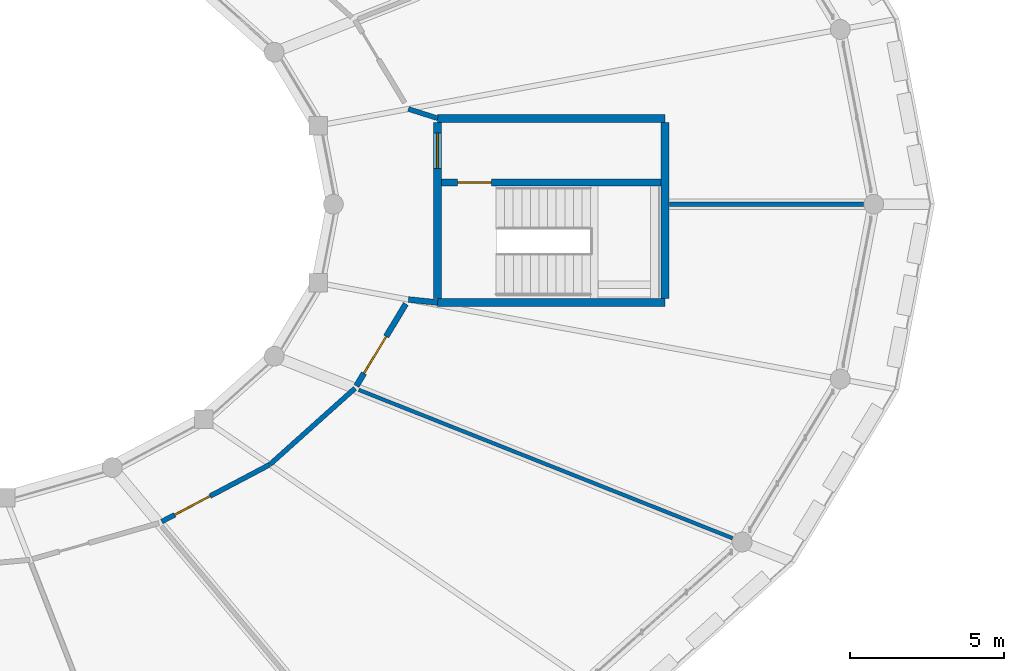
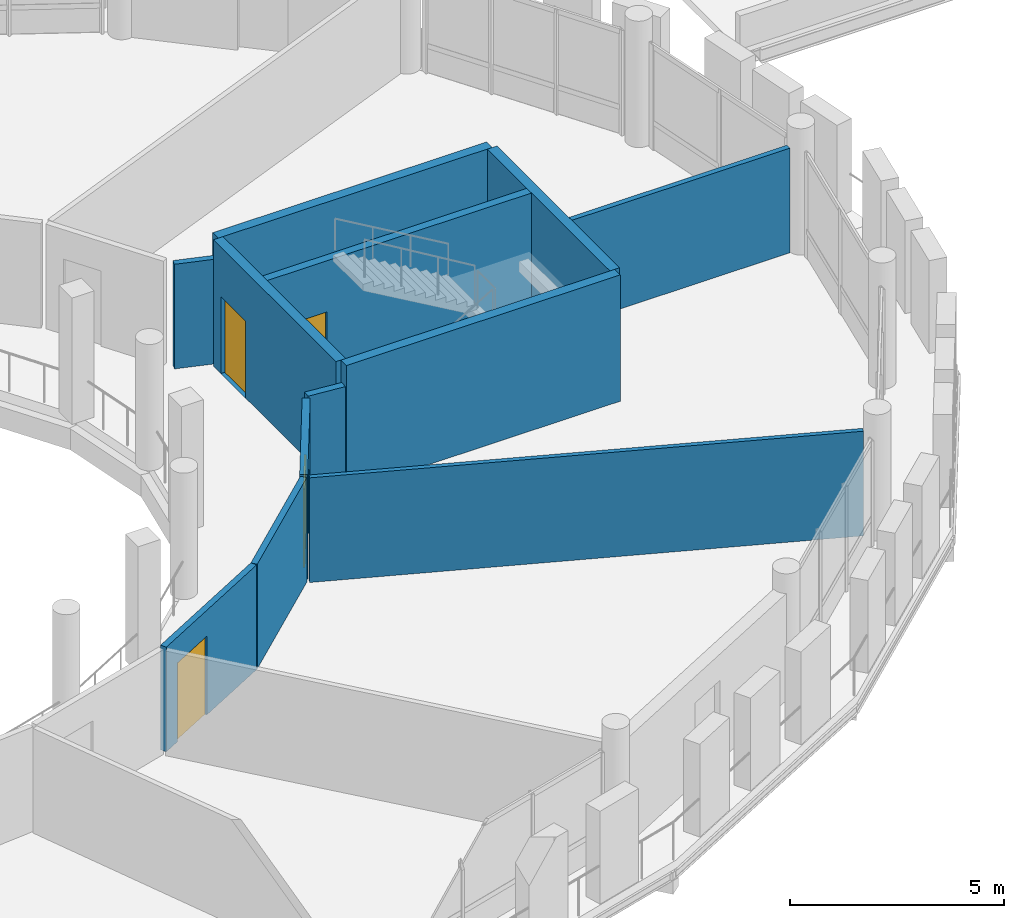
# One storey, part 77 of 93: 12 walls, 4 doors, 4 openings.
"""IFC4 building model written with IfcOpenShell, lengths in metres."""

import ifcopenshell
import ifcopenshell.guid

model = None  # the IFC model being written
_history = None  # IfcOwnerHistory: only IFC2X3 demands one
_inside = {}  # id of a spatial element -> (the spatial element, [elements in it])
_under = {}  # id of a project, library or spatial element -> (it, [spatial elements below it])
_declared = {}  # id of a project -> (the project, [libraries it declares])
_typed = {}  # id of a type object -> (the type object, [elements of that type])
_made_of = {}  # id of a material, layer set ... -> (it, [elements and type objects made of it])


def new_model(schema):
    """Start an empty IFC model of exactly this schema.

    Asked for "IFC4X3", IfcOpenShell would pick the latest addendum, in which some entities
    have other attributes; the version numbers below select the first issue.
    IFC2X3 requires an IfcOwnerHistory on every rooted entity: one is made here for all.
    """
    global model, _history
    if schema == "IFC4X3":
        model = ifcopenshell.file(schema_version=(4, 3, 0, 0))
    else:
        model = ifcopenshell.file(schema=schema)
    _inside.clear()
    _under.clear()
    _declared.clear()
    _typed.clear()
    _made_of.clear()
    _history = None
    if model.schema == "IFC2X3":
        org = make("IfcOrganization", Name="unknown")
        user = make(
            "IfcPersonAndOrganization",
            ThePerson=make("IfcPerson", FamilyName="unknown"),
            TheOrganization=org,
        )
        app = make(
            "IfcApplication",
            ApplicationDeveloper=org,
            Version="unknown",
            ApplicationFullName="unknown",
            ApplicationIdentifier="unknown",
        )
        _history = make(
            "IfcOwnerHistory",
            OwningUser=user,
            OwningApplication=app,
            ChangeAction="ADDED",
            CreationDate=0,
        )
    return model


def make(cls, **values):
    """One entity of the class cls with the attributes given. An attribute that is None is left unset."""
    return model.create_entity(
        cls, **{name: value for name, value in values.items() if value is not None}
    )


def rooted(cls, **values):
    """An entity with a GlobalId (a new one), such as an element, a storey or a relation."""
    return make(cls, GlobalId=ifcopenshell.guid.new(), OwnerHistory=_history, **values)


def si_unit(unit_type, name, prefix=None):
    """IfcSIUnit, for example si_unit("LENGTHUNIT", "METRE", prefix="MILLI")."""
    return make("IfcSIUnit", UnitType=unit_type, Prefix=prefix, Name=name)


def assignment(units):
    """IfcUnitAssignment: the units of a project."""
    return None if units is None else make("IfcUnitAssignment", Units=units)


def point(xyz):
    """IfcCartesianPoint."""
    return None if xyz is None else make("IfcCartesianPoint", Coordinates=xyz)


def direction(xyz):
    """IfcDirection."""
    return None if xyz is None else make("IfcDirection", DirectionRatios=xyz)


def frame(location, z_axis=None, x_axis=None):
    """IfcAxis2Placement3D, a coordinate frame: its origin and axes. An axis left out is left unset."""
    return make(
        "IfcAxis2Placement3D",
        Location=point(location),
        Axis=direction(z_axis),
        RefDirection=direction(x_axis),
    )


def frame_2d(location, x_axis=None):
    """IfcAxis2Placement2D, a coordinate frame in the plane: its origin and x axis."""
    return make(
        "IfcAxis2Placement2D", Location=point(location), RefDirection=direction(x_axis)
    )


def origin():
    """The frame at (0, 0, 0) with its axes left unset."""
    return frame((0.0, 0.0, 0.0))


def place(relative_to, where):
    """IfcLocalPlacement: puts the frame where relative to a parent placement (None: the world)."""
    return make(
        "IfcLocalPlacement", PlacementRelTo=relative_to, RelativePlacement=where
    )


def context(
    kind, dimensions, precision=None, world=None, true_north=None, identifier=None
):
    """IfcGeometricRepresentationContext, for example the 3D "Model" context."""
    return make(
        "IfcGeometricRepresentationContext",
        ContextIdentifier=identifier,
        ContextType=kind,
        CoordinateSpaceDimension=dimensions,
        Precision=precision,
        WorldCoordinateSystem=world,
        TrueNorth=true_north,
    )


def subcontext(parent, identifier, kind, view, scale=None):
    """IfcGeometricRepresentationSubContext, for example "Body" below "Model"."""
    return make(
        "IfcGeometricRepresentationSubContext",
        ContextIdentifier=identifier,
        ContextType=kind,
        ParentContext=parent,
        TargetScale=scale,
        TargetView=view,
    )


def project(units=None, contexts=None):
    """IfcProject with its units and contexts."""
    return rooted(
        "IfcProject",
        Name="project",
        RepresentationContexts=contexts,
        UnitsInContext=assignment(units),
    )


def spatial(cls, under=None, at=None, **own):
    """A site, building, storey or space (cls), placed at a placement, below another one or the project."""
    s = rooted(cls, ObjectPlacement=at, **own)
    if under is not None:
        _under.setdefault(under.id(), (under, []))[1].append(s)
    return s


def profile(cls, at=None, kind="AREA", **sizes):
    """A parametric profile (cls). Its sizes go by their IFC names, for example OverallWidth=200.0."""
    return make(cls, ProfileType=kind, Position=at, **sizes)


def rectangle(**sizes):
    """IfcRectangleProfileDef."""
    return profile("IfcRectangleProfileDef", **sizes)


def extrude(swept, where, along, depth):
    """IfcExtrudedAreaSolid: the profile swept, set in the frame where, extruded along a direction by depth."""
    return make(
        "IfcExtrudedAreaSolid",
        SweptArea=swept,
        Position=where,
        ExtrudedDirection=direction(along),
        Depth=depth,
    )


def shape(context_of_items, identifier, shape_type, items):
    """IfcShapeRepresentation: the items that make up one representation, for example the "Body"."""
    return make(
        "IfcShapeRepresentation",
        ContextOfItems=context_of_items,
        RepresentationIdentifier=identifier,
        RepresentationType=shape_type,
        Items=items,
    )


def material(Name=None, Category=None):
    """IfcMaterial."""
    return make("IfcMaterial", Name=Name, Category=Category)


def layer(
    of_material, thickness, ventilated=None, Name=None, Category=None, Priority=None
):
    """IfcMaterialLayer: one layer of a wall or slab, of a material (None: an air gap)."""
    return make(
        "IfcMaterialLayer",
        Material=of_material,
        LayerThickness=thickness,
        IsVentilated=ventilated,
        Name=Name,
        Category=Category,
        Priority=Priority,
    )


def layer_set(layers, Name=None):
    """IfcMaterialLayerSet."""
    return make("IfcMaterialLayerSet", MaterialLayers=layers, LayerSetName=Name)


def made_of(thing, what):
    """Note that an element or type object is made of a material, layer set ...; save() writes the relation."""
    if what is not None:
        _made_of.setdefault(what.id(), (what, []))[1].append(thing)
    return thing


def type_object(cls, material=None, **own):
    """A type object (cls), such as IfcWallType, which elements share."""
    return made_of(rooted(cls, **own), material)


def element(
    cls,
    number,
    at=None,
    inside=None,
    cuts=None,
    type_object=None,
    material=None,
    context=None,
    identifier="Body",
    shape_type=None,
    held_by="IfcProductDefinitionShape",
    body=None,
    shapes=None,
    **own,
):
    """One element of the class cls, such as IfcWall. Its Tag is "e" and its number.

    at: its placement. inside: the storey or other place that contains it. cuts: it is an
    opening in that element (IfcRelVoidsElement). A single representation is given by context,
    identifier, shape_type and body (its items); several are given by shapes. held_by: the class
    of the entity that holds the representations. save() writes the other relations.
    """
    e = rooted(cls, Tag="e%d" % number, ObjectPlacement=at, **own)
    if body is not None:
        shapes = [shape(context, identifier, shape_type, body)]
    if shapes is not None:
        e.Representation = make(held_by, Representations=shapes)
    if inside is not None:
        _inside.setdefault(inside.id(), (inside, []))[1].append(e)
    if cuts is not None:
        rooted(
            "IfcRelVoidsElement", RelatingBuildingElement=cuts, RelatedOpeningElement=e
        )
    if type_object is not None:
        _typed.setdefault(type_object.id(), (type_object, []))[1].append(e)
    return made_of(e, material)


def fill(opening, filler):
    """IfcRelFillsElement: the door or window that sits in an opening."""
    return rooted(
        "IfcRelFillsElement",
        RelatingOpeningElement=opening,
        RelatedBuildingElement=filler,
    )


def aggregate(whole, parts):
    """IfcRelAggregates: a whole, such as a stair, and the parts it consists of."""
    return rooted("IfcRelAggregates", RelatingObject=whole, RelatedObjects=parts)


def save(model, path):
    """Write the relations noted so far, then the file.

    IfcRelAggregates (storeys below a building ...), IfcRelContainedInSpatialStructure (elements
    in a storey), IfcRelDefinesByType, IfcRelAssociatesMaterial and IfcRelDeclares: one each for
    every whole, place, type object, material and project.
    """
    for whole, parts in _under.values():
        aggregate(whole, parts)
    for where, things in _inside.values():
        rooted(
            "IfcRelContainedInSpatialStructure",
            RelatedElements=things,
            RelatingStructure=where,
        )
    for kind, things in _typed.values():
        rooted("IfcRelDefinesByType", RelatedObjects=things, RelatingType=kind)
    for what, things in _made_of.values():
        rooted("IfcRelAssociatesMaterial", RelatedObjects=things, RelatingMaterial=what)
    for by, libraries in _declared.values():
        rooted("IfcRelDeclares", RelatingContext=by, RelatedDefinitions=libraries)
    model.write(path)


model = new_model("IFC4")

# Units and contexts
model_context = context("Model", 3, precision=1e-05, world=origin(), true_north=direction((0.0, 1.0)))
body_context = subcontext(model_context, "Body", "Model", "MODEL_VIEW")
ifc_project = project(units=[si_unit("LENGTHUNIT", "METRE"), si_unit("AREAUNIT", "SQUARE_METRE"), si_unit("VOLUMEUNIT", "CUBIC_METRE"), si_unit("PLANEANGLEUNIT", "RADIAN"), si_unit("MASSUNIT", "GRAM", prefix="KILO")], contexts=[model_context])

# Site, building, storey
site_placement = place(None, origin())
site = spatial("IfcSite", under=ifc_project, at=site_placement, CompositionType="ELEMENT")
building_placement = place(site_placement, origin())
building = spatial("IfcBuilding", under=site, at=building_placement, Name="Zornivar Specialist Clinic", CompositionType="ELEMENT")
storey_placement = place(building_placement, frame((0.0, 0.0, 8.39990234375)))
storey = spatial("IfcBuildingStorey", under=building, at=storey_placement, Name="L02", CompositionType="ELEMENT", Elevation=8.39990234375)

# Walls
ifc_material_1 = material(Name="Acoustic Clinical Stud Partition")
ifc_layer_1 = layer(ifc_material_1, 0.139892578125)
ifc_layer_set_1 = layer_set([ifc_layer_1], Name="Acoustic Clinical Stud Partition")
wall_type_1 = type_object("IfcWallType", Name="IW-CLIN-140", PredefinedType="PARTITIONING", material=ifc_layer_set_1)
wall_1_placement = place(storey_placement, frame((125.264892578125, 57.60009765625, 0.0), z_axis=(0.0, 0.0, 1.0), x_axis=(-1.0, 0.0, 0.0)))
element("IfcWall", 1, at=wall_1_placement, inside=storey, type_object=wall_type_1, Name="iw:L02:003", PredefinedType="PARTITIONING", context=body_context, shape_type="SweptSolid", body=[
    extrude(rectangle(XDim=6.31982421875, YDim=0.139892578125, at=frame_2d((3.159912109375, 0.0))), origin(), (0.0, 0.0, 1.0), 2.989990234375),
])
ifc_material_2 = material(Name="Gypsum Fire-Rated Double Stud Partition")
ifc_layer_2 = layer(ifc_material_2, 0.159912109375)
ifc_layer_set_2 = layer_set([ifc_layer_2], Name="Gypsum Fire-Rated Double Stud Partition")
wall_type_2 = type_object("IfcWallType", Name="IW-CORR-EI60-160", PredefinedType="PARTITIONING", material=ifc_layer_set_2)
wall_2_placement = place(storey_placement, frame((111.39990234375, 60.39990234375, 0.0), z_axis=(0.0, 0.0, 1.0), x_axis=(-0.953076237522, 0.302730384122, 0.0)))
element("IfcWall", 2, at=wall_2_placement, inside=storey, type_object=wall_type_2, Name="iw:L02:000", PredefinedType="PARTITIONING", context=body_context, shape_type="SweptSolid", body=[
    extrude(rectangle(XDim=1.000732421875, YDim=0.159912109375, at=frame_2d((0.50048828125, 0.0))), origin(), (0.0, 0.0, 1.0), 2.989990234375),
])
wall_3_placement = place(storey_placement, frame((105.931884765625, 49.1220703125, 0.0), z_axis=(0.0, 0.0, 1.0), x_axis=(0.744906651337, 0.667168704897, 0.0)))
element("IfcWall", 3, at=wall_3_placement, inside=storey, type_object=wall_type_2, Name="iw:L02:042", PredefinedType="PARTITIONING", context=body_context, shape_type="SweptSolid", body=[
    extrude(rectangle(XDim=3.7216796875, YDim=0.159912109375, at=frame_2d((1.86083984375, 0.0))), origin(), (0.0, 0.0, 1.0), 2.989990234375),
])

# Wall, opening, door
wall_4_placement = place(storey_placement, frame((102.410888671875, 47.263916015625, 0.0), z_axis=(0.0, 0.0, 1.0), x_axis=(0.884432009223, 0.466669070179, 0.0)))
wall_4 = element("IfcWall", 4, at=wall_4_placement, inside=storey, type_object=wall_type_2, Name="iw:L02:044", PredefinedType="PARTITIONING", context=body_context, shape_type="SweptSolid", body=[
    extrude(rectangle(XDim=3.96875, YDim=0.159912109375, at=frame_2d((1.984375, 0.0))), origin(), (0.0, 0.0, 1.0), 2.989990234375),
])
opening_1_placement = place(wall_4_placement, frame((0.47998046875, 0.0, 0.0)))
opening_1 = element("IfcOpeningElement", 5, at=opening_1_placement, cuts=wall_4, Name="Opening ID-13", PredefinedType="OPENING", context=body_context, shape_type="SweptSolid", body=[
    extrude(rectangle(XDim=1.300048828125, YDim=2.25, at=frame_2d((0.64990234375, 1.125))), frame((0.0, 0.08984375, 0.0), z_axis=(0.0, -1.0, 0.0), x_axis=(1.0, 0.0, 0.0)), (0.0, 0.0, 1.0), 0.179931640625),
])
ifc_material_3 = material(Name="Solid-Core Hygienic Laminate Timber Door", Category="wood")
door_type_1 = type_object("IfcDoorType", Name="ID-RECOV-1300x2250", OperationType="NOTDEFINED", PredefinedType="DOOR", material=ifc_material_3)
door_1_placement = place(opening_1_placement, origin())
door_1 = element("IfcDoor", 6, at=door_1_placement, inside=storey, type_object=door_type_1, Name="door:space:V1:L02:rm:15", OperationType="SINGLE_SWING_LEFT", OverallHeight=2.25, OverallWidth=1.300048828125, PredefinedType="DOOR", context=body_context, shape_type="SweptSolid", body=[
    extrude(rectangle(XDim=1.300048828125, YDim=2.25, at=frame_2d((0.64990234375, 1.125))), frame((0.0, 0.02490234375, 0.0), z_axis=(0.0, -1.0, 0.0), x_axis=(1.0, 0.0, 0.0)), (0.0, 0.0, 1.0), 0.050048828125),
])
fill(opening_1, door_1)

# Walls
ifc_material_4 = material(Name="Acoustic Glazed Consultation Partition")
ifc_layer_3 = layer(ifc_material_4, 0.1201171875)
ifc_layer_set_3 = layer_set([ifc_layer_3], Name="Acoustic Glazed Consultation Partition")
wall_type_3 = type_object("IfcWallType", Name="IW-GLAZ-120", PredefinedType="PARTITIONING", material=ifc_layer_set_3)
wall_5_placement = place(storey_placement, frame((108.8291015625, 51.554931640625, 0.0), z_axis=(0.0, 0.0, 1.0), x_axis=(0.929482493756, -0.368866227516, 0.0)))
element("IfcWall", 7, at=wall_5_placement, inside=storey, type_object=wall_type_3, Name="iw:L02:043", PredefinedType="PARTITIONING", context=body_context, shape_type="SweptSolid", body=[
    extrude(rectangle(XDim=13.096435546875, YDim=0.1201171875, at=frame_2d((6.54833984375, 0.0))), origin(), (0.0, 0.0, 1.0), 2.989990234375),
])
ifc_material_5 = material(Name="GMP Cleanroom Insulated Double Partition")
ifc_layer_4 = layer(ifc_material_5, 0.18994140625)
ifc_layer_set_4 = layer_set([ifc_layer_4], Name="GMP Cleanroom Insulated Double Partition")
wall_type_4 = type_object("IfcWallType", Name="IW-PHARM-GMP-190", PredefinedType="PARTITIONING", material=ifc_layer_set_4)
wall_6_placement = place(storey_placement, frame((110.446044921875, 54.4970703125, 0.0), z_axis=(0.0, 0.0, 1.0), x_axis=(0.994851446462, -0.101343966136, 0.0)))
element("IfcWall", 8, at=wall_6_placement, inside=storey, type_object=wall_type_4, Name="iw:L02:045", PredefinedType="PARTITIONING", context=body_context, shape_type="SweptSolid", body=[
    extrude(rectangle(XDim=0.958740234375, YDim=0.18994140625, at=frame_2d((0.4794921875, 0.0))), origin(), (0.0, 0.0, 1.0), 2.989990234375),
])

# Wall, opening, door
wall_7_placement = place(storey_placement, frame((108.7509765625, 51.68310546875, 0.0), z_axis=(0.0, 0.0, 1.0), x_axis=(0.516140620299, 0.856503858764, 0.0)))
wall_7 = element("IfcWall", 9, at=wall_7_placement, inside=storey, type_object=wall_type_4, Name="iw:L02:046", PredefinedType="PARTITIONING", context=body_context, shape_type="SweptSolid", body=[
    extrude(rectangle(XDim=3.11962890625, YDim=0.18994140625, at=frame_2d((1.559814453125, 0.0))), origin(), (0.0, 0.0, 1.0), 2.989990234375),
])
opening_2_placement = place(wall_7_placement, frame((0.47998046875, 0.0, 0.0)))
opening_2 = element("IfcOpeningElement", 10, at=opening_2_placement, cuts=wall_7, Name="Opening FD-04", PredefinedType="OPENING", context=body_context, shape_type="SweptSolid", body=[
    extrude(rectangle(XDim=1.39990234375, YDim=2.25, at=frame_2d((0.699951171875, 1.125))), frame((0.0, 0.10498046875, 0.0), z_axis=(0.0, -1.0, 0.0), x_axis=(1.0, 0.0, 0.0)), (0.0, 0.0, 1.0), 0.2099609375),
])
ifc_material_6 = material(Name="Solid-Core Hygienic Laminate Timber Door", Category="wood")
door_type_2 = type_object("IfcDoorType", Name="FD-STERILE-1400x2250", OperationType="NOTDEFINED", PredefinedType="DOOR", material=ifc_material_6)
door_2_placement = place(opening_2_placement, origin())
door_2 = element("IfcDoor", 11, at=door_2_placement, inside=storey, type_object=door_type_2, Name="door:space:V1:L02:rm:16", OperationType="DOUBLE_DOOR_SINGLE_SWING", OverallHeight=2.25, OverallWidth=1.39990234375, PredefinedType="DOOR", context=body_context, shape_type="SweptSolid", body=[
    extrude(rectangle(XDim=1.39990234375, YDim=2.25, at=frame_2d((0.699951171875, 1.125))), frame((0.0, 0.02490234375, 0.0), z_axis=(0.0, -1.0, 0.0), x_axis=(1.0, 0.0, 0.0)), (0.0, 0.0, 1.0), 0.050048828125),
])
fill(opening_2, door_2)

# Walls
ifc_material_7 = material(Name="Concrete C35/45", Category="concrete")
ifc_layer_5 = layer(ifc_material_7, 0.260009765625)
ifc_layer_set_5 = layer_set([ifc_layer_5], Name="Concrete C35/45")
wall_type_5 = type_object("IfcWallType", Name="SW-CORE-260", PredefinedType="SHEAR", material=ifc_layer_set_5)
wall_8_placement = place(storey_placement, frame((111.39990234375, 54.39990234375, 0.0), z_axis=(0.0, 0.0, 1.0), x_axis=(1.0, 0.0, 0.0)))
element("IfcWall", 12, at=wall_8_placement, inside=storey, type_object=wall_type_5, Name="sw:C4:L02:w0", PredefinedType="SHEAR", context=body_context, shape_type="SweptSolid", body=[
    extrude(rectangle(XDim=7.400146484375, YDim=0.260009765625, at=frame_2d((3.7001953125, 0.0))), origin(), (0.0, 0.0, 1.0), 3.610107421875),
])
wall_9_placement = place(storey_placement, frame((118.800048828125, 54.530029296875, 0.0), z_axis=(0.0, 0.0, 1.0), x_axis=(0.0, 1.0, 0.0)))
element("IfcWall", 13, at=wall_9_placement, inside=storey, type_object=wall_type_5, Name="sw:C4:L02:w1", PredefinedType="SHEAR", context=body_context, shape_type="SweptSolid", body=[
    extrude(rectangle(XDim=5.739990234375, YDim=0.260009765625, at=frame_2d((2.8701171875, 0.0))), origin(), (0.0, 0.0, 1.0), 3.610107421875),
])
wall_10_placement = place(storey_placement, frame((118.800048828125, 60.39990234375, 0.0), z_axis=(0.0, 0.0, 1.0), x_axis=(-1.0, 0.0, 0.0)))
element("IfcWall", 14, at=wall_10_placement, inside=storey, type_object=wall_type_5, Name="sw:C4:L02:w2", PredefinedType="SHEAR", context=body_context, shape_type="SweptSolid", body=[
    extrude(rectangle(XDim=7.400146484375, YDim=0.260009765625, at=frame_2d((3.7001953125, 0.0))), origin(), (0.0, 0.0, 1.0), 3.610107421875),
])

# Wall, opening, door
wall_11_placement = place(storey_placement, frame((111.39990234375, 60.27001953125, 0.0), z_axis=(0.0, 0.0, 1.0), x_axis=(0.0, -1.0, 0.0)))
wall_11 = element("IfcWall", 15, at=wall_11_placement, inside=storey, type_object=wall_type_5, Name="sw:C4:L02:w3", PredefinedType="SHEAR", context=body_context, shape_type="SweptSolid", body=[
    extrude(rectangle(XDim=5.739990234375, YDim=0.260009765625, at=frame_2d((2.8701171875, 0.0))), origin(), (0.0, 0.0, 1.0), 3.610107421875),
])
opening_3_placement = place(wall_11_placement, frame((0.35009765625, 0.0, 0.0)))
opening_3 = element("IfcOpeningElement", 16, at=opening_3_placement, cuts=wall_11, Name="Opening FD-03", PredefinedType="OPENING", context=body_context, shape_type="SweptSolid", body=[
    extrude(rectangle(XDim=1.14990234375, YDim=2.199951171875, at=frame_2d((0.574951171875, 1.10009765625))), frame((0.0, 0.139892578125, 0.0), z_axis=(0.0, -1.0, 0.0), x_axis=(1.0, 0.0, 0.0)), (0.0, 0.0, 1.0), 0.280029296875),
])
ifc_material_8 = material(Name="Solid-Core Hygienic Laminate Timber Door", Category="wood")
door_type_3 = type_object("IfcDoorType", Name="FD-LOBBY-UPPER-1150x2200", OperationType="NOTDEFINED", PredefinedType="DOOR", material=ifc_material_8)
door_3_placement = place(opening_3_placement, origin())
door_3 = element("IfcDoor", 17, at=door_3_placement, inside=storey, type_object=door_type_3, Name="door:C4:L02:lob", OperationType="SINGLE_SWING_RIGHT", OverallHeight=2.199951171875, OverallWidth=1.14990234375, PredefinedType="DOOR", context=body_context, shape_type="SweptSolid", body=[
    extrude(rectangle(XDim=1.14990234375, YDim=2.199951171875, at=frame_2d((0.574951171875, 1.10009765625))), frame((0.0, 0.02490234375, 0.0), z_axis=(0.0, -1.0, 0.0), x_axis=(1.0, 0.0, 0.0)), (0.0, 0.0, 1.0), 0.050048828125),
])
fill(opening_3, door_3)

ifc_material_9 = material(Name="Concrete C30/37", Category="concrete")
ifc_layer_6 = layer(ifc_material_9, 0.219970703125)
ifc_layer_set_6 = layer_set([ifc_layer_6], Name="Concrete C30/37")
wall_type_6 = type_object("IfcWallType", Name="SW-SHAFT-220", PredefinedType="SHEAR", material=ifc_layer_set_6)
wall_12_placement = place(storey_placement, frame((111.530029296875, 58.31005859375, 0.0), z_axis=(0.0, 0.0, 1.0), x_axis=(1.0, 0.0, 0.0)))
wall_12 = element("IfcWall", 18, at=wall_12_placement, inside=storey, type_object=wall_type_6, Name="sw:C4:L02:stwall", PredefinedType="SHEAR", context=body_context, shape_type="SweptSolid", body=[
    extrude(rectangle(XDim=7.139892578125, YDim=0.219970703125, at=frame_2d((3.56982421875, 0.0))), origin(), (0.0, 0.0, 1.0), 3.610107421875),
])
opening_4_placement = place(wall_12_placement, frame((0.52001953125, 0.0, 0.0)))
opening_4 = element("IfcOpeningElement", 19, at=opening_4_placement, cuts=wall_12, Name="Opening FD-02", PredefinedType="OPENING", context=body_context, shape_type="SweptSolid", body=[
    extrude(rectangle(XDim=1.10009765625, YDim=2.14990234375, at=frame_2d((0.550048828125, 1.074951171875))), frame((0.0, 0.119873046875, 0.0), z_axis=(0.0, -1.0, 0.0), x_axis=(1.0, 0.0, 0.0)), (0.0, 0.0, 1.0), 0.239990234375),
])
ifc_material_10 = material(Name="Solid-Core Hygienic Laminate Timber Door", Category="wood")
door_type_4 = type_object("IfcDoorType", Name="FD-STAIR-1100x2150", OperationType="NOTDEFINED", PredefinedType="DOOR", material=ifc_material_10)
door_4_placement = place(opening_4_placement, origin())
door_4 = element("IfcDoor", 20, at=door_4_placement, inside=storey, type_object=door_type_4, Name="door:C4:L02:stair", OperationType="SINGLE_SWING_LEFT", OverallHeight=2.14990234375, OverallWidth=1.10009765625, PredefinedType="DOOR", context=body_context, shape_type="SweptSolid", body=[
    extrude(rectangle(XDim=1.10009765625, YDim=2.14990234375, at=frame_2d((0.550048828125, 1.074951171875))), frame((0.0, 0.02490234375, 0.0), z_axis=(0.0, -1.0, 0.0), x_axis=(1.0, 0.0, 0.0)), (0.0, 0.0, 1.0), 0.050048828125),
])
fill(opening_4, door_4)

save(model, "model.ifc")
